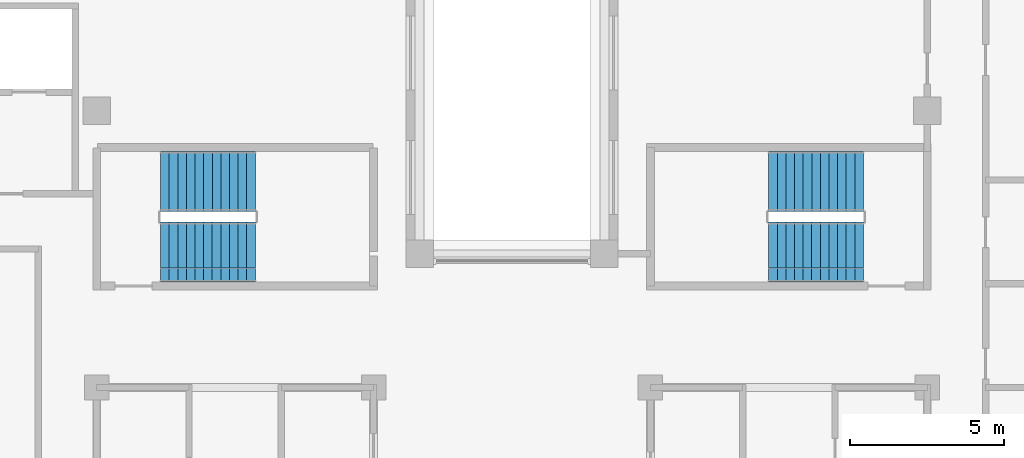
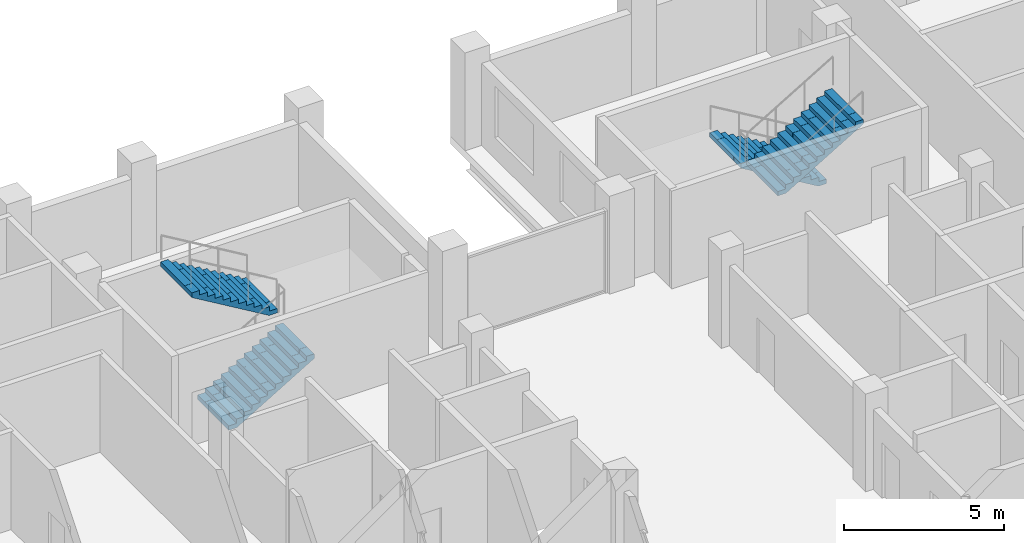
# One storey, part 12 of 13: 4 stair flights, 2 elements without a shape of their own.
"""IFC4 building model written with IfcOpenShell, lengths in metres."""

from ifc_helpers import new_model, si_unit, direction, frame, origin, place, context, subcontext, project, spatial, polyline, outline, extrude, material, type_object, element, aggregate, save


model = new_model("IFC4")

# Units and contexts
model_context = context("Model", 3, precision=1e-05, world=origin(), true_north=direction((0.0, 1.0)))
body_context = subcontext(model_context, "Body", "Model", "MODEL_VIEW")
ifc_project = project(units=[si_unit("LENGTHUNIT", "METRE"), si_unit("AREAUNIT", "SQUARE_METRE"), si_unit("VOLUMEUNIT", "CUBIC_METRE"), si_unit("PLANEANGLEUNIT", "RADIAN"), si_unit("MASSUNIT", "GRAM", prefix="KILO")], contexts=[model_context])

# Site, building, storey
site_placement = place(None, origin())
site = spatial("IfcSite", under=ifc_project, at=site_placement, CompositionType="ELEMENT")
building_placement = place(site_placement, origin())
building = spatial("IfcBuilding", under=site, at=building_placement, Name="Corbelhall Arena Tower", CompositionType="ELEMENT")
storey_placement = place(building_placement, frame((0.0, 0.0, 254.0)))
storey = spatial("IfcBuildingStorey", under=building, at=storey_placement, Name="L54", CompositionType="ELEMENT", Elevation=254.0)

# Stair, stair flights
ifc_material = material(Name="Concrete C40/50", Category="concrete")
stair_type = type_object("IfcStairType", Name="IN-ST-TOWER", PredefinedType="HALF_TURN_STAIR", material=ifc_material)
stair_1_placement = place(storey_placement, origin())
stair_1 = element("IfcStair", 1, at=stair_1_placement, inside=storey, type_object=stair_type, Name="L54 Exit stair ST1", PredefinedType="HALF_TURN_STAIR")
stair_flight_type = type_object("IfcStairFlightType", Name="IN-SFL-RC", PredefinedType="STRAIGHT", material=ifc_material)
stair_flight_1_placement = place(storey_placement, frame((-11.425048828125, 13.39990234375, 0.0), z_axis=(0.0, 0.0, 1.0), x_axis=(1.0, 0.0, 0.0)))
stair_flight_1 = element("IfcStairFlight", 2, at=stair_flight_1_placement, type_object=stair_flight_type, Name="ST1 flight 1", NumberOfRisers=12, NumberOfTreads=11, PredefinedType="STRAIGHT", RiserHeight=0.166666667, TreadLength=0.28, context=body_context, shape_type="SweptSolid", body=[
    extrude(outline(polyline([(0.0, 0.0), (0.0, 0.166748046875), (0.280029296875, 0.166748046875), (0.280029296875, 0.333251953125), (0.56005859375, 0.333251953125), (0.56005859375, 0.5), (0.840087890625, 0.5), (0.840087890625, 0.666748046875), (1.1201171875, 0.666748046875), (1.1201171875, 0.833251953125), (1.39990234375, 0.833251953125), (1.39990234375, 1.0), (1.679931640625, 1.0), (1.679931640625, 1.166748046875), (1.9599609375, 1.166748046875), (1.9599609375, 1.333251953125), (2.239990234375, 1.333251953125), (2.239990234375, 1.5), (2.52001953125, 1.5), (2.52001953125, 1.666748046875), (2.800048828125, 1.666748046875), (2.800048828125, 1.833251953125), (3.080078125, 1.833251953125), (3.080078125, 2.0), (3.080078125, 1.658935546875), (0.29296875, 0.0), (0.0, 0.0)])), frame((0.0, 0.97509765625, 0.0), z_axis=(0.0, -1.0, 0.0), x_axis=(1.0, 0.0, 0.0)), (0.0, 0.0, 1.0), 0.449951171875),
    extrude(outline(polyline([(0.0, 0.0), (0.0, 0.166748046875), (0.280029296875, 0.166748046875), (0.280029296875, 0.333251953125), (0.56005859375, 0.333251953125), (0.56005859375, 0.5), (0.840087890625, 0.5), (0.840087890625, 0.666748046875), (1.1201171875, 0.666748046875), (1.1201171875, 0.833251953125), (1.39990234375, 0.833251953125), (1.39990234375, 1.0), (1.679931640625, 1.0), (1.679931640625, 1.166748046875), (1.9599609375, 1.166748046875), (1.9599609375, 1.333251953125), (2.239990234375, 1.333251953125), (2.239990234375, 1.5), (2.52001953125, 1.5), (2.52001953125, 1.666748046875), (2.800048828125, 1.666748046875), (2.800048828125, 1.833251953125), (3.080078125, 1.833251953125), (3.080078125, 2.0), (3.080078125, 1.658935546875), (0.29296875, 0.0), (0.0, 0.0)])), frame((0.0, 0.52099609375, 0.0), z_axis=(0.0, -1.0, 0.0), x_axis=(1.0, 0.0, 0.0)), (0.0, 0.0, 1.0), 1.0419921875),
    extrude(outline(polyline([(0.0, 0.0), (0.0, 0.166748046875), (0.280029296875, 0.166748046875), (0.280029296875, 0.333251953125), (0.56005859375, 0.333251953125), (0.56005859375, 0.5), (0.840087890625, 0.5), (0.840087890625, 0.666748046875), (1.1201171875, 0.666748046875), (1.1201171875, 0.833251953125), (1.39990234375, 0.833251953125), (1.39990234375, 1.0), (1.679931640625, 1.0), (1.679931640625, 1.166748046875), (1.9599609375, 1.166748046875), (1.9599609375, 1.333251953125), (2.239990234375, 1.333251953125), (2.239990234375, 1.5), (2.52001953125, 1.5), (2.52001953125, 1.666748046875), (2.800048828125, 1.666748046875), (2.800048828125, 1.833251953125), (3.080078125, 1.833251953125), (3.080078125, 2.0), (3.080078125, 1.658935546875), (0.29296875, 0.0), (0.0, 0.0)])), frame((0.0, -0.52490234375, 0.0), z_axis=(0.0, -1.0, 0.0), x_axis=(1.0, 0.0, 0.0)), (0.0, 0.0, 1.0), 0.449951171875),
])
stair_flight_2_placement = place(storey_placement, frame((-8.344970703125, 15.699951171875, 2.0), z_axis=(0.0, 0.0, 1.0), x_axis=(-1.0, 0.0, 0.0)))
stair_flight_2 = element("IfcStairFlight", 3, at=stair_flight_2_placement, type_object=stair_flight_type, Name="ST1 flight 2", NumberOfRisers=12, NumberOfTreads=11, PredefinedType="STRAIGHT", RiserHeight=0.166666667, TreadLength=0.28, context=body_context, shape_type="SweptSolid", body=[
    extrude(outline(polyline([(0.0, 0.0), (0.0, 0.166748046875), (0.280029296875, 0.166748046875), (0.280029296875, 0.333251953125), (0.56005859375, 0.333251953125), (0.56005859375, 0.5), (0.840087890625, 0.5), (0.840087890625, 0.666748046875), (1.1201171875, 0.666748046875), (1.1201171875, 0.833251953125), (1.39990234375, 0.833251953125), (1.39990234375, 1.0), (1.679931640625, 1.0), (1.679931640625, 1.166748046875), (1.9599609375, 1.166748046875), (1.9599609375, 1.333251953125), (2.239990234375, 1.333251953125), (2.239990234375, 1.5), (2.52001953125, 1.5), (2.52001953125, 1.666748046875), (2.800048828125, 1.666748046875), (2.800048828125, 1.833251953125), (3.080078125, 1.833251953125), (3.080078125, 2.0), (3.080078125, 1.658935546875), (0.29296875, 0.0), (0.0, 0.0)])), frame((0.0, 0.97509765625, 0.0), z_axis=(0.0, -1.0, 0.0), x_axis=(1.0, 0.0, 0.0)), (0.0, 0.0, 1.0), 0.449951171875),
    extrude(outline(polyline([(0.0, 0.0), (0.0, 0.166748046875), (0.280029296875, 0.166748046875), (0.280029296875, 0.333251953125), (0.56005859375, 0.333251953125), (0.56005859375, 0.5), (0.840087890625, 0.5), (0.840087890625, 0.666748046875), (1.1201171875, 0.666748046875), (1.1201171875, 0.833251953125), (1.39990234375, 0.833251953125), (1.39990234375, 1.0), (1.679931640625, 1.0), (1.679931640625, 1.166748046875), (1.9599609375, 1.166748046875), (1.9599609375, 1.333251953125), (2.239990234375, 1.333251953125), (2.239990234375, 1.5), (2.52001953125, 1.5), (2.52001953125, 1.666748046875), (2.800048828125, 1.666748046875), (2.800048828125, 1.833251953125), (3.080078125, 1.833251953125), (3.080078125, 2.0), (3.080078125, 1.658935546875), (0.29296875, 0.0), (0.0, 0.0)])), frame((0.0, 0.52099609375, 0.0), z_axis=(0.0, -1.0, 0.0), x_axis=(1.0, 0.0, 0.0)), (0.0, 0.0, 1.0), 1.0419921875),
    extrude(outline(polyline([(0.0, 0.0), (0.0, 0.166748046875), (0.280029296875, 0.166748046875), (0.280029296875, 0.333251953125), (0.56005859375, 0.333251953125), (0.56005859375, 0.5), (0.840087890625, 0.5), (0.840087890625, 0.666748046875), (1.1201171875, 0.666748046875), (1.1201171875, 0.833251953125), (1.39990234375, 0.833251953125), (1.39990234375, 1.0), (1.679931640625, 1.0), (1.679931640625, 1.166748046875), (1.9599609375, 1.166748046875), (1.9599609375, 1.333251953125), (2.239990234375, 1.333251953125), (2.239990234375, 1.5), (2.52001953125, 1.5), (2.52001953125, 1.666748046875), (2.800048828125, 1.666748046875), (2.800048828125, 1.833251953125), (3.080078125, 1.833251953125), (3.080078125, 2.0), (3.080078125, 1.658935546875), (0.29296875, 0.0), (0.0, 0.0)])), frame((0.0, -0.52490234375, 0.0), z_axis=(0.0, -1.0, 0.0), x_axis=(1.0, 0.0, 0.0)), (0.0, 0.0, 1.0), 0.449951171875),
])
aggregate(stair_1, [stair_flight_1, stair_flight_2])

stair_2_placement = place(storey_placement, origin())
stair_2 = element("IfcStair", 4, at=stair_2_placement, inside=storey, type_object=stair_type, Name="L54 Exit stair ST3", PredefinedType="HALF_TURN_STAIR")
stair_flight_3_placement = place(storey_placement, frame((11.425048828125, 15.699951171875, 0.0), z_axis=(0.0, 0.0, 1.0), x_axis=(-1.0, 0.0, 0.0)))
stair_flight_3 = element("IfcStairFlight", 5, at=stair_flight_3_placement, type_object=stair_flight_type, Name="ST3 flight 1", NumberOfRisers=12, NumberOfTreads=11, PredefinedType="STRAIGHT", RiserHeight=0.166666667, TreadLength=0.28, context=body_context, shape_type="SweptSolid", body=[
    extrude(outline(polyline([(0.0, 0.0), (0.0, 0.166748046875), (0.280029296875, 0.166748046875), (0.280029296875, 0.333251953125), (0.56005859375, 0.333251953125), (0.56005859375, 0.5), (0.840087890625, 0.5), (0.840087890625, 0.666748046875), (1.1201171875, 0.666748046875), (1.1201171875, 0.833251953125), (1.39990234375, 0.833251953125), (1.39990234375, 1.0), (1.679931640625, 1.0), (1.679931640625, 1.166748046875), (1.9599609375, 1.166748046875), (1.9599609375, 1.333251953125), (2.239990234375, 1.333251953125), (2.239990234375, 1.5), (2.52001953125, 1.5), (2.52001953125, 1.666748046875), (2.800048828125, 1.666748046875), (2.800048828125, 1.833251953125), (3.080078125, 1.833251953125), (3.080078125, 2.0), (3.080078125, 1.658935546875), (0.29296875, 0.0), (0.0, 0.0)])), frame((0.0, 0.97509765625, 0.0), z_axis=(0.0, -1.0, 0.0), x_axis=(1.0, 0.0, 0.0)), (0.0, 0.0, 1.0), 0.449951171875),
    extrude(outline(polyline([(0.0, 0.0), (0.0, 0.166748046875), (0.280029296875, 0.166748046875), (0.280029296875, 0.333251953125), (0.56005859375, 0.333251953125), (0.56005859375, 0.5), (0.840087890625, 0.5), (0.840087890625, 0.666748046875), (1.1201171875, 0.666748046875), (1.1201171875, 0.833251953125), (1.39990234375, 0.833251953125), (1.39990234375, 1.0), (1.679931640625, 1.0), (1.679931640625, 1.166748046875), (1.9599609375, 1.166748046875), (1.9599609375, 1.333251953125), (2.239990234375, 1.333251953125), (2.239990234375, 1.5), (2.52001953125, 1.5), (2.52001953125, 1.666748046875), (2.800048828125, 1.666748046875), (2.800048828125, 1.833251953125), (3.080078125, 1.833251953125), (3.080078125, 2.0), (3.080078125, 1.658935546875), (0.29296875, 0.0), (0.0, 0.0)])), frame((0.0, 0.52099609375, 0.0), z_axis=(0.0, -1.0, 0.0), x_axis=(1.0, 0.0, 0.0)), (0.0, 0.0, 1.0), 1.0419921875),
    extrude(outline(polyline([(0.0, 0.0), (0.0, 0.166748046875), (0.280029296875, 0.166748046875), (0.280029296875, 0.333251953125), (0.56005859375, 0.333251953125), (0.56005859375, 0.5), (0.840087890625, 0.5), (0.840087890625, 0.666748046875), (1.1201171875, 0.666748046875), (1.1201171875, 0.833251953125), (1.39990234375, 0.833251953125), (1.39990234375, 1.0), (1.679931640625, 1.0), (1.679931640625, 1.166748046875), (1.9599609375, 1.166748046875), (1.9599609375, 1.333251953125), (2.239990234375, 1.333251953125), (2.239990234375, 1.5), (2.52001953125, 1.5), (2.52001953125, 1.666748046875), (2.800048828125, 1.666748046875), (2.800048828125, 1.833251953125), (3.080078125, 1.833251953125), (3.080078125, 2.0), (3.080078125, 1.658935546875), (0.29296875, 0.0), (0.0, 0.0)])), frame((0.0, -0.52490234375, 0.0), z_axis=(0.0, -1.0, 0.0), x_axis=(1.0, 0.0, 0.0)), (0.0, 0.0, 1.0), 0.449951171875),
])
stair_flight_4_placement = place(storey_placement, frame((8.344970703125, 13.39990234375, 2.0), z_axis=(0.0, 0.0, 1.0), x_axis=(1.0, 0.0, 0.0)))
stair_flight_4 = element("IfcStairFlight", 6, at=stair_flight_4_placement, type_object=stair_flight_type, Name="ST3 flight 2", NumberOfRisers=12, NumberOfTreads=11, PredefinedType="STRAIGHT", RiserHeight=0.166666667, TreadLength=0.28, context=body_context, shape_type="SweptSolid", body=[
    extrude(outline(polyline([(0.0, 0.0), (0.0, 0.166748046875), (0.280029296875, 0.166748046875), (0.280029296875, 0.333251953125), (0.56005859375, 0.333251953125), (0.56005859375, 0.5), (0.840087890625, 0.5), (0.840087890625, 0.666748046875), (1.1201171875, 0.666748046875), (1.1201171875, 0.833251953125), (1.39990234375, 0.833251953125), (1.39990234375, 1.0), (1.679931640625, 1.0), (1.679931640625, 1.166748046875), (1.9599609375, 1.166748046875), (1.9599609375, 1.333251953125), (2.239990234375, 1.333251953125), (2.239990234375, 1.5), (2.52001953125, 1.5), (2.52001953125, 1.666748046875), (2.800048828125, 1.666748046875), (2.800048828125, 1.833251953125), (3.080078125, 1.833251953125), (3.080078125, 2.0), (3.080078125, 1.658935546875), (0.29296875, 0.0), (0.0, 0.0)])), frame((0.0, 0.97509765625, 0.0), z_axis=(0.0, -1.0, 0.0), x_axis=(1.0, 0.0, 0.0)), (0.0, 0.0, 1.0), 0.449951171875),
    extrude(outline(polyline([(0.0, 0.0), (0.0, 0.166748046875), (0.280029296875, 0.166748046875), (0.280029296875, 0.333251953125), (0.56005859375, 0.333251953125), (0.56005859375, 0.5), (0.840087890625, 0.5), (0.840087890625, 0.666748046875), (1.1201171875, 0.666748046875), (1.1201171875, 0.833251953125), (1.39990234375, 0.833251953125), (1.39990234375, 1.0), (1.679931640625, 1.0), (1.679931640625, 1.166748046875), (1.9599609375, 1.166748046875), (1.9599609375, 1.333251953125), (2.239990234375, 1.333251953125), (2.239990234375, 1.5), (2.52001953125, 1.5), (2.52001953125, 1.666748046875), (2.800048828125, 1.666748046875), (2.800048828125, 1.833251953125), (3.080078125, 1.833251953125), (3.080078125, 2.0), (3.080078125, 1.658935546875), (0.29296875, 0.0), (0.0, 0.0)])), frame((0.0, 0.52099609375, 0.0), z_axis=(0.0, -1.0, 0.0), x_axis=(1.0, 0.0, 0.0)), (0.0, 0.0, 1.0), 1.0419921875),
    extrude(outline(polyline([(0.0, 0.0), (0.0, 0.166748046875), (0.280029296875, 0.166748046875), (0.280029296875, 0.333251953125), (0.56005859375, 0.333251953125), (0.56005859375, 0.5), (0.840087890625, 0.5), (0.840087890625, 0.666748046875), (1.1201171875, 0.666748046875), (1.1201171875, 0.833251953125), (1.39990234375, 0.833251953125), (1.39990234375, 1.0), (1.679931640625, 1.0), (1.679931640625, 1.166748046875), (1.9599609375, 1.166748046875), (1.9599609375, 1.333251953125), (2.239990234375, 1.333251953125), (2.239990234375, 1.5), (2.52001953125, 1.5), (2.52001953125, 1.666748046875), (2.800048828125, 1.666748046875), (2.800048828125, 1.833251953125), (3.080078125, 1.833251953125), (3.080078125, 2.0), (3.080078125, 1.658935546875), (0.29296875, 0.0), (0.0, 0.0)])), frame((0.0, -0.52490234375, 0.0), z_axis=(0.0, -1.0, 0.0), x_axis=(1.0, 0.0, 0.0)), (0.0, 0.0, 1.0), 0.449951171875),
])
aggregate(stair_2, [stair_flight_3, stair_flight_4])

save(model, "model.ifc")
